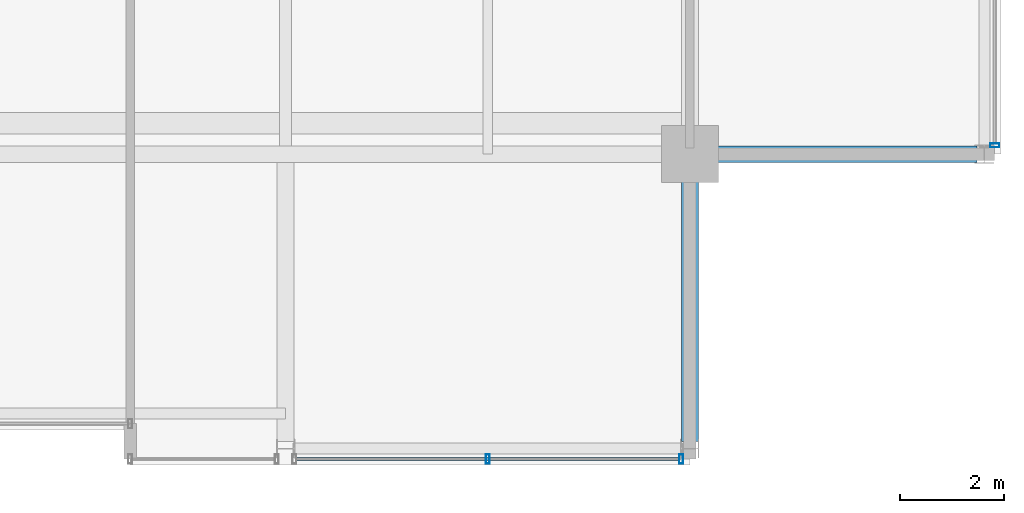
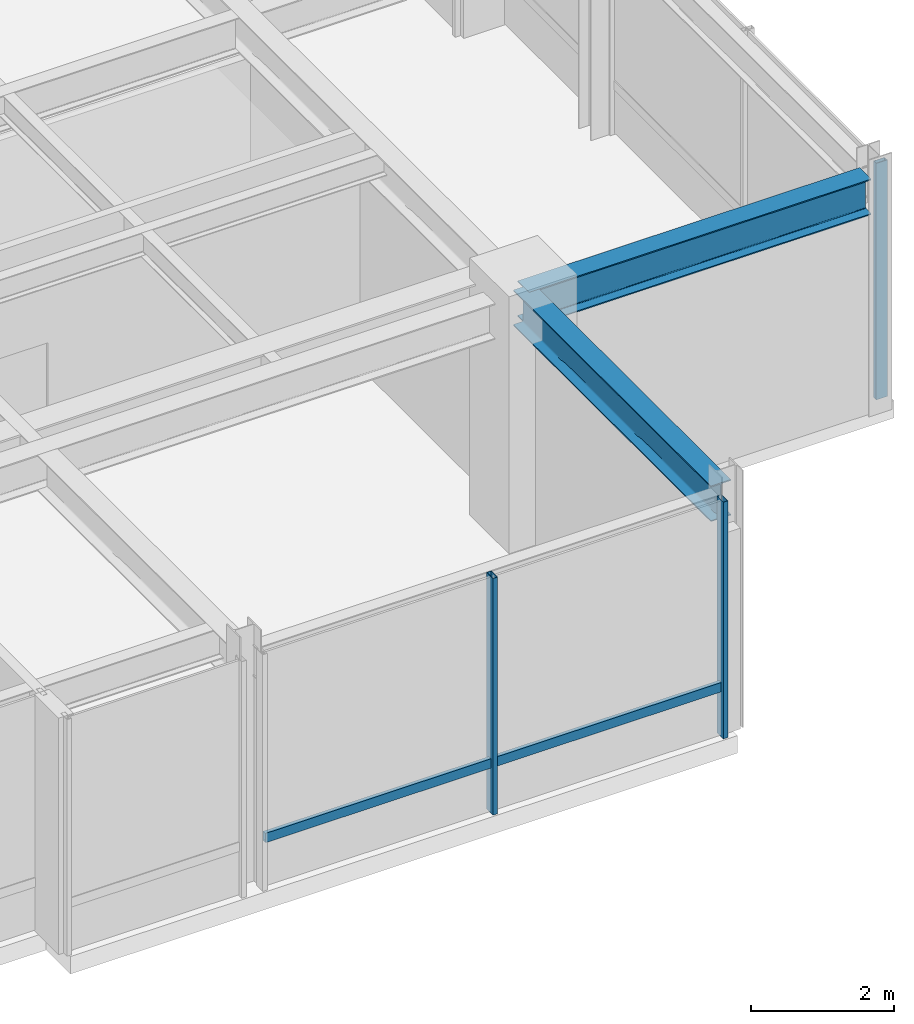
# One storey, part 16 of 33: 4 members, 2 beams, 2 elements without a shape of their own.
"""IFC4 building model written with IfcOpenShell, lengths in metres."""

from ifc_helpers import new_model, si_unit, direction, frame, origin, origin_2d, place, context, subcontext, project, spatial, hollow_rectangle, i_section, extrude, material, layer, layer_set, material_profile, profile_set, type_object, element, aggregate, save


model = new_model("IFC4")

# Units and contexts
model_context = context("Model", 3, precision=1e-05, world=origin(), true_north=direction((0.0, 1.0)))
body_context = subcontext(model_context, "Body", "Model", "MODEL_VIEW")
ifc_project = project(units=[si_unit("LENGTHUNIT", "METRE"), si_unit("AREAUNIT", "SQUARE_METRE"), si_unit("VOLUMEUNIT", "CUBIC_METRE"), si_unit("PLANEANGLEUNIT", "RADIAN"), si_unit("MASSUNIT", "GRAM", prefix="KILO")], contexts=[model_context])

# Site, building, storey
site_placement = place(None, origin())
site = spatial("IfcSite", under=ifc_project, at=site_placement, CompositionType="ELEMENT")
building_placement = place(site_placement, origin())
building = spatial("IfcBuilding", under=site, at=building_placement, Name="Drelvath Grand Hotel", CompositionType="ELEMENT")
storey_placement = place(building_placement, frame((0.0, 0.0, 298.60009765625)))
storey = spatial("IfcBuildingStorey", under=building, at=storey_placement, Name="L78", CompositionType="ELEMENT", Elevation=298.60009765625)

# Curtain wall, member
ifc_material_1 = material(Name="Platinum-Mist Anodised Aluminium Frame", Category="aluminium")
ifc_layer = layer(ifc_material_1, 0.199951171875)
ifc_layer_set = layer_set([ifc_layer], Name="Platinum-Mist Anodised Aluminium Frame")
curtain_wall_type = type_object("IfcCurtainWallType", Name="Stick Curtain Wall CW-05 Platinum Mist High-Rise", PredefinedType="NOTDEFINED", material=ifc_layer_set)
curtain_wall_1_placement = place(storey_placement, origin())
curtain_wall_1 = element("IfcCurtainWall", 1, at=curtain_wall_1_placement, inside=storey, type_object=curtain_wall_type, Name="L78 CW-05 Curtain Wall CW05-L78-SE2", PredefinedType="NOTDEFINED")
ifc_material_profile_1 = material_profile(ifc_material_1, hollow_rectangle(XDim=0.06494140625, YDim=0.159912109375, WallThickness=0.00390625, at=origin_2d()), Name="HSS160X65X4")
ifc_profile_set_1 = profile_set([ifc_material_profile_1], Name="Platinum-Mist Anodised Aluminium Frame")
member_type_1 = type_object("IfcMemberType", Name="Curtain Wall Horizontal Transom CW-05 HSS160X65X4", PredefinedType="USERDEFINED", material=ifc_profile_set_1)
member_1_placement = place(storey_placement, frame((15.989990234375, 4.919921875, 0.849853515625), z_axis=(-1.0, 0.0, 0.0), x_axis=(0.0, -1.0, 0.0)))
member_1 = element("IfcMember", 2, at=member_1_placement, type_object=member_type_1, Name="CW05-L78-SE2 Sill Transom", ObjectType="TRANSOM", PredefinedType="USERDEFINED", context=body_context, shape_type="SweptSolid", body=[
    extrude(hollow_rectangle(XDim=0.06494140625, YDim=0.159912109375, WallThickness=0.00390625, at=origin_2d()), origin(), (0.0, 0.0, 1.0), 7.3798828125),
])

curtain_wall_2_placement = place(storey_placement, origin())
curtain_wall_2 = element("IfcCurtainWall", 3, at=curtain_wall_2_placement, inside=storey, type_object=curtain_wall_type, Name="L78 CW-05 Curtain Wall CW05-L78-ES1", PredefinedType="NOTDEFINED")
ifc_material_profile_2 = material_profile(ifc_material_1, hollow_rectangle(XDim=0.074951171875, YDim=0.179931640625, WallThickness=0.0048828125, at=origin_2d()), Name="HSS180X75X5")
ifc_profile_set_2 = profile_set([ifc_material_profile_2], Name="Platinum-Mist Anodised Aluminium Frame")
member_type_2 = type_object("IfcMemberType", Name="Curtain Wall Vertical Mullion CW-05 HSS180X75X5", PredefinedType="MULLION", material=ifc_profile_set_2)
member_2_placement = place(storey_placement, frame((22.080078125, 10.97021484375, 0.0), z_axis=(0.0, 0.0, 1.0), x_axis=(0.0, 1.0, 0.0)))
member_2 = element("IfcMember", 4, at=member_2_placement, type_object=member_type_2, Name="CW05-L78-ES1 Mullion 3", PredefinedType="MULLION", context=body_context, shape_type="SweptSolid", body=[
    extrude(hollow_rectangle(XDim=0.074951171875, YDim=0.179931640625, WallThickness=0.0048828125, at=origin_2d()), origin(), (0.0, 0.0, 1.0), 4.0498046875),
])
aggregate(curtain_wall_2, [member_2])

# Member
member_3_placement = place(storey_placement, frame((16.02978515625, 4.919921875, 0.0), z_axis=(0.0, 0.0, 1.0), x_axis=(1.0, 0.0, 0.0)))
member_3 = element("IfcMember", 5, at=member_3_placement, type_object=member_type_2, Name="CW05-L78-SE2 Mullion 1", PredefinedType="MULLION", context=body_context, shape_type="SweptSolid", body=[
    extrude(hollow_rectangle(XDim=0.074951171875, YDim=0.179931640625, WallThickness=0.0048828125, at=origin_2d()), origin(), (0.0, 0.0, 1.0), 4.0498046875),
])

member_4_placement = place(storey_placement, frame((12.300048828125, 4.919921875, 0.0), z_axis=(0.0, 0.0, 1.0), x_axis=(1.0, 0.0, 0.0)))
member_4 = element("IfcMember", 6, at=member_4_placement, type_object=member_type_2, Name="CW05-L78-SE2 Mullion 2", PredefinedType="MULLION", context=body_context, shape_type="SweptSolid", body=[
    extrude(hollow_rectangle(XDim=0.074951171875, YDim=0.179931640625, WallThickness=0.0048828125, at=origin_2d()), origin(), (0.0, 0.0, 1.0), 4.0498046875),
])

aggregate(curtain_wall_1, [member_3, member_4, member_1])

# Beams
ifc_material_2 = material(Name="Steel ASTM A992 Gr 50", Category="steel")
ifc_material_profile_3 = material_profile(ifc_material_2, i_section(OverallWidth=0.323974609375, OverallDepth=0.611083984375, WebThickness=0.0126953125, FlangeThickness=0.01904296875, FilletRadius=0.02197265625, at=origin_2d()), Name="W24X104")
ifc_profile_set_3 = profile_set([ifc_material_profile_3], Name="Steel ASTM A992 Gr 50")
beam_type = type_object("IfcBeamType", Name="Primary Floor Girder W24X104", PredefinedType="BEAM", material=ifc_profile_set_3)
for number, where, z_axis, x_axis, name in (
    (7, (16.199951171875, 10.800048828125, 3.744384765625), (1.0, 0.0, 0.0), (0.0, 1.0, 0.0), "L78 East Grid Girder C"),
    (8, (16.199951171875, 5.260009765625, 3.744384765625), (0.0, 1.0, 0.0), (-1.0, 0.0, 0.0), "L78 South Grid Girder 7"),
):
    element("IfcBeam", number, at=place(storey_placement, frame(where, z_axis=z_axis, x_axis=x_axis)), inside=storey, type_object=beam_type, Name=name, PredefinedType="BEAM", context=body_context, shape_type="SweptSolid", body=[
        extrude(i_section(OverallWidth=0.323974609375, OverallDepth=0.611083984375, WebThickness=0.0126953125, FlangeThickness=0.01904296875, FilletRadius=0.02197265625, at=origin_2d()), origin(), (0.0, 0.0, 1.0), 5.5400390625),
    ])

save(model, "model.ifc")
